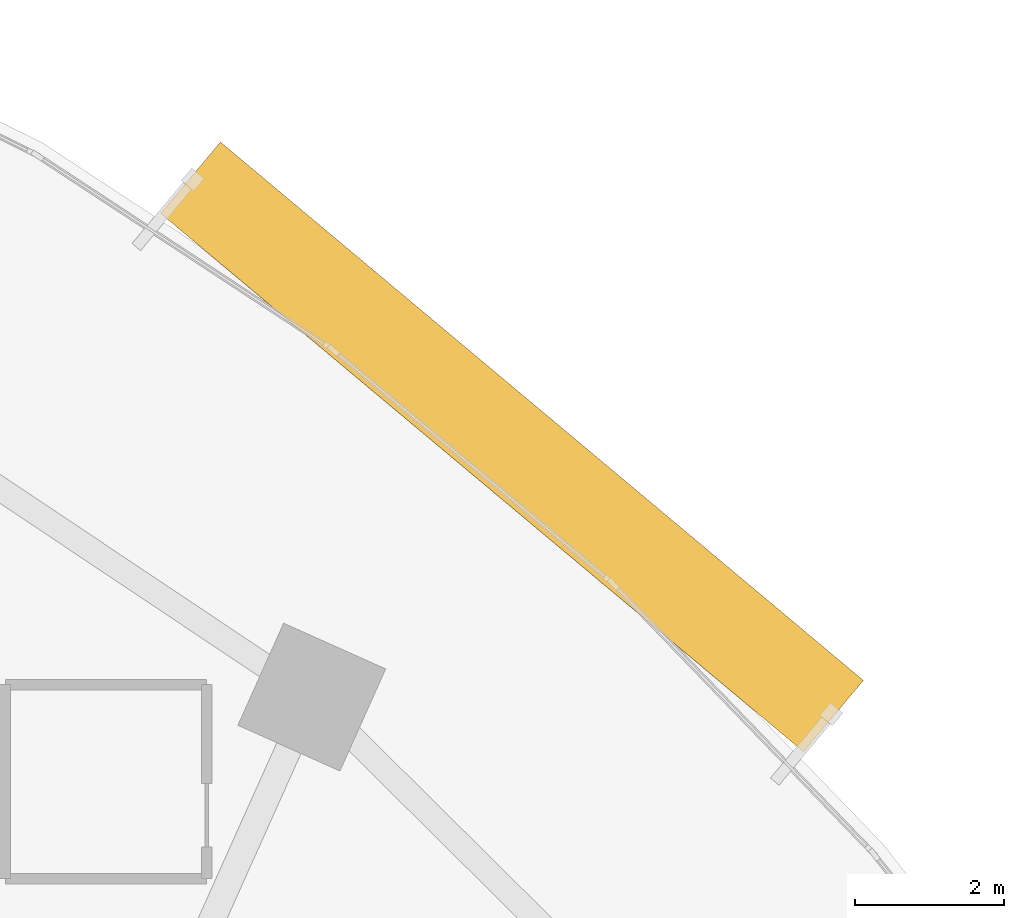
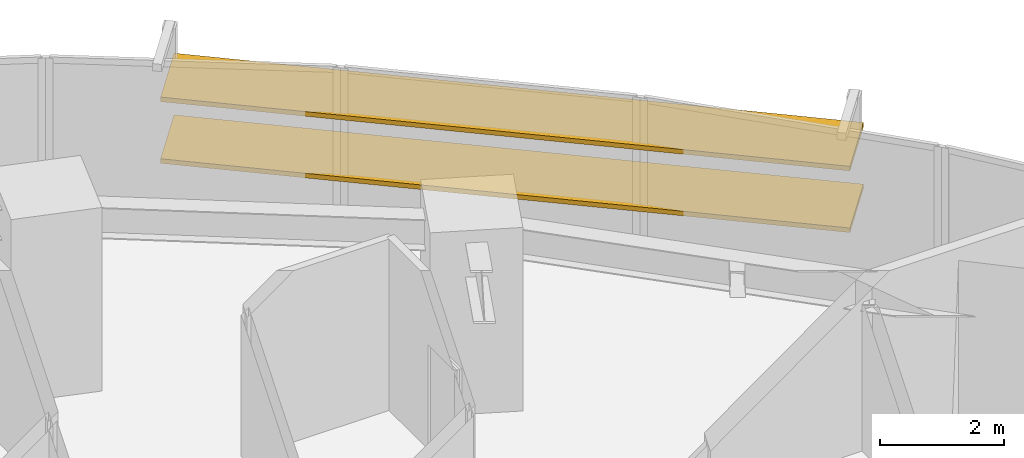
# One storey, part 17 of 17: 2 shading devices.
"""IFC4 building model written with IfcOpenShell, lengths in metres."""

from ifc_helpers import new_model, si_unit, direction, frame, origin, origin_2d, place, context, subcontext, project, spatial, rectangle, extrude, source, transform, mapped, material, material_profile, profile_set, type_object, element, save


model = new_model("IFC4")

# Units and contexts
model_context = context("Model", 3, precision=1e-05, world=origin(), true_north=direction((0.0, 1.0)))
body_context = subcontext(model_context, "Body", "Model", "MODEL_VIEW")
ifc_project = project(units=[si_unit("LENGTHUNIT", "METRE"), si_unit("AREAUNIT", "SQUARE_METRE"), si_unit("VOLUMEUNIT", "CUBIC_METRE"), si_unit("PLANEANGLEUNIT", "RADIAN"), si_unit("MASSUNIT", "GRAM", prefix="KILO")], contexts=[model_context])

# Site, building, storey
site_placement = place(None, origin())
site = spatial("IfcSite", under=ifc_project, at=site_placement, CompositionType="ELEMENT")
building_placement = place(site_placement, origin())
building = spatial("IfcBuilding", under=site, at=building_placement, Name="Breltana Convention Tower", CompositionType="ELEMENT")
storey_placement = place(building_placement, frame((0.0, 0.0, 78.60009765625)))
storey = spatial("IfcBuildingStorey", under=building, at=storey_placement, Name="L18", CompositionType="ELEMENT", Elevation=78.60009765625)

# Shading devices
ifc_material = material(Name="Limestone Warm Buff Honed", Category="masonry")
ifc_material_profile = material_profile(ifc_material, rectangle(XDim=1.25, YDim=0.090087890625, at=origin_2d()), Name="STN-LVR-1250X90")
ifc_profile_set = profile_set([ifc_material_profile], Name="Limestone Warm Buff Honed")
shading_device_type = type_object("IfcShadingDeviceType", Name="SHD-OUTER-SKIN-LIMESTONE-1250", PredefinedType="JALOUSIE", material=ifc_profile_set)
shared_shape = source(origin(), body_context, "Body", "SweptSolid", [
    extrude(rectangle(XDim=1.25, YDim=0.090087890625, at=origin_2d()), origin(), (0.0, 0.0, 1.0), 11.246337890625),
])
for number, where, z_axis, x_axis, name in (
    (1, (67.28369140625, 75.598388671875, 1.20947265625), (0.766719155588, -0.641982660556, 0.0), (0.641982660556, 0.766719155588, 0.0), "L18 outer skin warm limestone louvre 2.1"),
    (2, (67.28369140625, 75.598388671875, 2.419189453125), (0.766719155588, -0.641982660556, 0.0), (0.641982660556, 0.766719155588, 0.0), "L18 outer skin warm limestone louvre 2.2"),
):
    element("IfcShadingDevice", number, at=place(storey_placement, frame(where, z_axis=z_axis, x_axis=x_axis)), inside=storey, type_object=shading_device_type, Name=name, PredefinedType="JALOUSIE", context=body_context, shape_type="MappedRepresentation", body=[
        mapped(shared_shape, transform((0.0, 0.0, 0.0), scale=1.0)),
    ])

save(model, "model.ifc")
